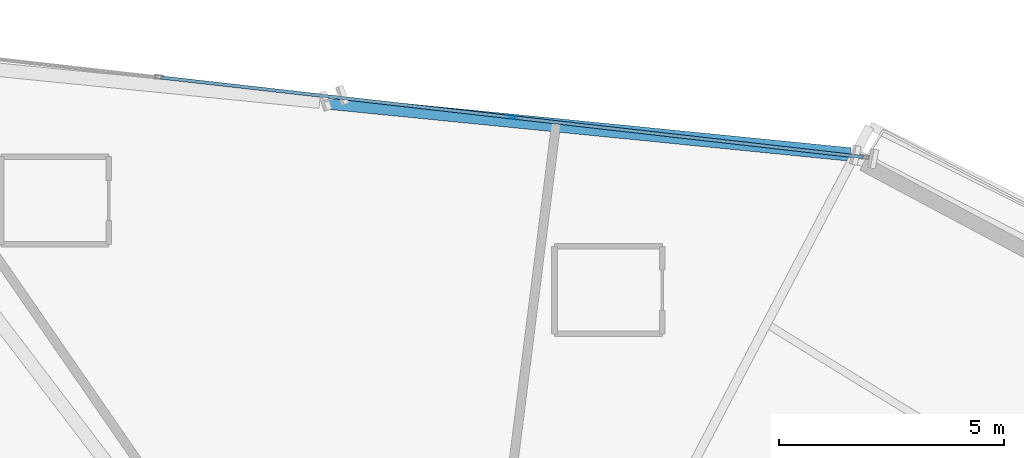
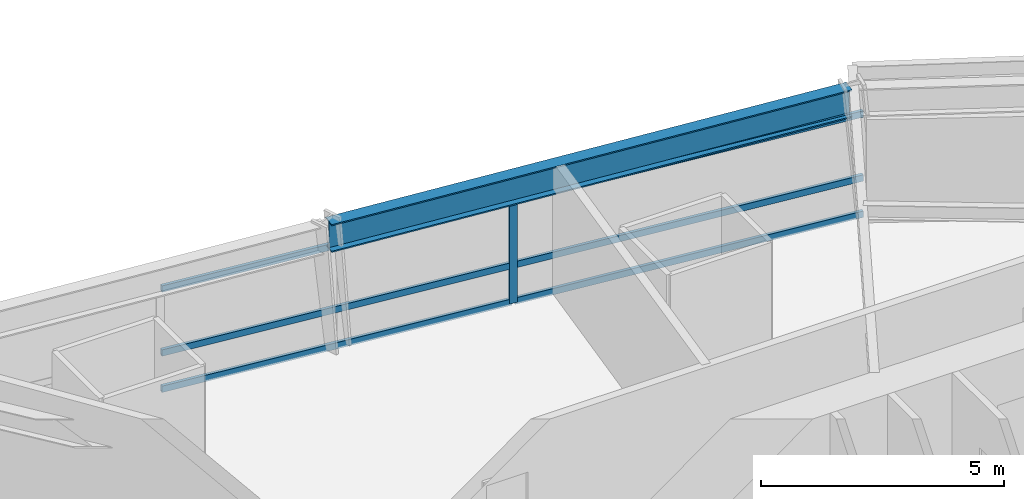
# One storey, part 10 of 22: 7 members, 1 beam, 1 element without a shape of its own.
"""IFC4 building model written with IfcOpenShell, lengths in metres."""

import ifcopenshell
import ifcopenshell.guid

model = None  # the IFC model being written
_history = None  # IfcOwnerHistory: only IFC2X3 demands one
_inside = {}  # id of a spatial element -> (the spatial element, [elements in it])
_under = {}  # id of a project, library or spatial element -> (it, [spatial elements below it])
_declared = {}  # id of a project -> (the project, [libraries it declares])
_typed = {}  # id of a type object -> (the type object, [elements of that type])
_made_of = {}  # id of a material, layer set ... -> (it, [elements and type objects made of it])


def new_model(schema):
    """Start an empty IFC model of exactly this schema.

    Asked for "IFC4X3", IfcOpenShell would pick the latest addendum, in which some entities
    have other attributes; the version numbers below select the first issue.
    IFC2X3 requires an IfcOwnerHistory on every rooted entity: one is made here for all.
    """
    global model, _history
    if schema == "IFC4X3":
        model = ifcopenshell.file(schema_version=(4, 3, 0, 0))
    else:
        model = ifcopenshell.file(schema=schema)
    _inside.clear()
    _under.clear()
    _declared.clear()
    _typed.clear()
    _made_of.clear()
    _history = None
    if model.schema == "IFC2X3":
        org = make("IfcOrganization", Name="unknown")
        user = make(
            "IfcPersonAndOrganization",
            ThePerson=make("IfcPerson", FamilyName="unknown"),
            TheOrganization=org,
        )
        app = make(
            "IfcApplication",
            ApplicationDeveloper=org,
            Version="unknown",
            ApplicationFullName="unknown",
            ApplicationIdentifier="unknown",
        )
        _history = make(
            "IfcOwnerHistory",
            OwningUser=user,
            OwningApplication=app,
            ChangeAction="ADDED",
            CreationDate=0,
        )
    return model


def make(cls, **values):
    """One entity of the class cls with the attributes given. An attribute that is None is left unset."""
    return model.create_entity(
        cls, **{name: value for name, value in values.items() if value is not None}
    )


def rooted(cls, **values):
    """An entity with a GlobalId (a new one), such as an element, a storey or a relation."""
    return make(cls, GlobalId=ifcopenshell.guid.new(), OwnerHistory=_history, **values)


def si_unit(unit_type, name, prefix=None):
    """IfcSIUnit, for example si_unit("LENGTHUNIT", "METRE", prefix="MILLI")."""
    return make("IfcSIUnit", UnitType=unit_type, Prefix=prefix, Name=name)


def assignment(units):
    """IfcUnitAssignment: the units of a project."""
    return None if units is None else make("IfcUnitAssignment", Units=units)


def point(xyz):
    """IfcCartesianPoint."""
    return None if xyz is None else make("IfcCartesianPoint", Coordinates=xyz)


def direction(xyz):
    """IfcDirection."""
    return None if xyz is None else make("IfcDirection", DirectionRatios=xyz)


def frame(location, z_axis=None, x_axis=None):
    """IfcAxis2Placement3D, a coordinate frame: its origin and axes. An axis left out is left unset."""
    return make(
        "IfcAxis2Placement3D",
        Location=point(location),
        Axis=direction(z_axis),
        RefDirection=direction(x_axis),
    )


def frame_2d(location, x_axis=None):
    """IfcAxis2Placement2D, a coordinate frame in the plane: its origin and x axis."""
    return make(
        "IfcAxis2Placement2D", Location=point(location), RefDirection=direction(x_axis)
    )


def origin():
    """The frame at (0, 0, 0) with its axes left unset."""
    return frame((0.0, 0.0, 0.0))


def origin_2d():
    """The frame at (0, 0) in the plane with its x axis left unset."""
    return frame_2d((0.0, 0.0))


def place(relative_to, where):
    """IfcLocalPlacement: puts the frame where relative to a parent placement (None: the world)."""
    return make(
        "IfcLocalPlacement", PlacementRelTo=relative_to, RelativePlacement=where
    )


def context(
    kind, dimensions, precision=None, world=None, true_north=None, identifier=None
):
    """IfcGeometricRepresentationContext, for example the 3D "Model" context."""
    return make(
        "IfcGeometricRepresentationContext",
        ContextIdentifier=identifier,
        ContextType=kind,
        CoordinateSpaceDimension=dimensions,
        Precision=precision,
        WorldCoordinateSystem=world,
        TrueNorth=true_north,
    )


def subcontext(parent, identifier, kind, view, scale=None):
    """IfcGeometricRepresentationSubContext, for example "Body" below "Model"."""
    return make(
        "IfcGeometricRepresentationSubContext",
        ContextIdentifier=identifier,
        ContextType=kind,
        ParentContext=parent,
        TargetScale=scale,
        TargetView=view,
    )


def project(units=None, contexts=None):
    """IfcProject with its units and contexts."""
    return rooted(
        "IfcProject",
        Name="project",
        RepresentationContexts=contexts,
        UnitsInContext=assignment(units),
    )


def spatial(cls, under=None, at=None, **own):
    """A site, building, storey or space (cls), placed at a placement, below another one or the project."""
    s = rooted(cls, ObjectPlacement=at, **own)
    if under is not None:
        _under.setdefault(under.id(), (under, []))[1].append(s)
    return s


def profile(cls, at=None, kind="AREA", **sizes):
    """A parametric profile (cls). Its sizes go by their IFC names, for example OverallWidth=200.0."""
    return make(cls, ProfileType=kind, Position=at, **sizes)


def hollow_rectangle(**sizes):
    """IfcRectangleHollowProfileDef."""
    return profile("IfcRectangleHollowProfileDef", **sizes)


def i_section(**sizes):
    """IfcIShapeProfileDef."""
    return profile("IfcIShapeProfileDef", **sizes)


def extrude(swept, where, along, depth):
    """IfcExtrudedAreaSolid: the profile swept, set in the frame where, extruded along a direction by depth."""
    return make(
        "IfcExtrudedAreaSolid",
        SweptArea=swept,
        Position=where,
        ExtrudedDirection=direction(along),
        Depth=depth,
    )


def shape(context_of_items, identifier, shape_type, items):
    """IfcShapeRepresentation: the items that make up one representation, for example the "Body"."""
    return make(
        "IfcShapeRepresentation",
        ContextOfItems=context_of_items,
        RepresentationIdentifier=identifier,
        RepresentationType=shape_type,
        Items=items,
    )


def source(mapping_origin, context_of_items, identifier, shape_type, items):
    """IfcRepresentationMap: a shape defined once, which mapped items show again and again."""
    return make(
        "IfcRepresentationMap",
        MappingOrigin=mapping_origin,
        MappedRepresentation=shape(context_of_items, identifier, shape_type, items),
    )


def transform(
    local_origin,
    x_axis=None,
    y_axis=None,
    z_axis=None,
    scale=None,
    scale2=None,
    scale3=None,
    uniform=True,
):
    """IfcCartesianTransformationOperator3D, or its non-uniform kind. x_axis, y_axis, z_axis: its Axis1, 2, 3."""
    if uniform:
        return make(
            "IfcCartesianTransformationOperator3D",
            Axis1=direction(x_axis),
            Axis2=direction(y_axis),
            LocalOrigin=point(local_origin),
            Scale=scale,
            Axis3=direction(z_axis),
        )
    return make(
        "IfcCartesianTransformationOperator3DnonUniform",
        Axis1=direction(x_axis),
        Axis2=direction(y_axis),
        LocalOrigin=point(local_origin),
        Scale=scale,
        Axis3=direction(z_axis),
        Scale2=scale2,
        Scale3=scale3,
    )


def mapped(mapping_source, mapping_target):
    """IfcMappedItem: shows the shape of a source again, moved by a transform."""
    return make(
        "IfcMappedItem", MappingSource=mapping_source, MappingTarget=mapping_target
    )


def material(Name=None, Category=None):
    """IfcMaterial."""
    return make("IfcMaterial", Name=Name, Category=Category)


def material_profile(
    of_material, cross_section, Name=None, Category=None, Priority=None
):
    """IfcMaterialProfile: a cross section and its material."""
    return make(
        "IfcMaterialProfile",
        Name=Name,
        Material=of_material,
        Profile=cross_section,
        Priority=Priority,
        Category=Category,
    )


def profile_set(profiles, Name=None, composite=None):
    """IfcMaterialProfileSet."""
    return make(
        "IfcMaterialProfileSet",
        Name=Name,
        MaterialProfiles=profiles,
        CompositeProfile=composite,
    )


def made_of(thing, what):
    """Note that an element or type object is made of a material, layer set ...; save() writes the relation."""
    if what is not None:
        _made_of.setdefault(what.id(), (what, []))[1].append(thing)
    return thing


def type_object(cls, material=None, **own):
    """A type object (cls), such as IfcWallType, which elements share."""
    return made_of(rooted(cls, **own), material)


def element(
    cls,
    number,
    at=None,
    inside=None,
    cuts=None,
    type_object=None,
    material=None,
    context=None,
    identifier="Body",
    shape_type=None,
    held_by="IfcProductDefinitionShape",
    body=None,
    shapes=None,
    **own,
):
    """One element of the class cls, such as IfcWall. Its Tag is "e" and its number.

    at: its placement. inside: the storey or other place that contains it. cuts: it is an
    opening in that element (IfcRelVoidsElement). A single representation is given by context,
    identifier, shape_type and body (its items); several are given by shapes. held_by: the class
    of the entity that holds the representations. save() writes the other relations.
    """
    e = rooted(cls, Tag="e%d" % number, ObjectPlacement=at, **own)
    if body is not None:
        shapes = [shape(context, identifier, shape_type, body)]
    if shapes is not None:
        e.Representation = make(held_by, Representations=shapes)
    if inside is not None:
        _inside.setdefault(inside.id(), (inside, []))[1].append(e)
    if cuts is not None:
        rooted(
            "IfcRelVoidsElement", RelatingBuildingElement=cuts, RelatedOpeningElement=e
        )
    if type_object is not None:
        _typed.setdefault(type_object.id(), (type_object, []))[1].append(e)
    return made_of(e, material)


def aggregate(whole, parts):
    """IfcRelAggregates: a whole, such as a stair, and the parts it consists of."""
    return rooted("IfcRelAggregates", RelatingObject=whole, RelatedObjects=parts)


def save(model, path):
    """Write the relations noted so far, then the file.

    IfcRelAggregates (storeys below a building ...), IfcRelContainedInSpatialStructure (elements
    in a storey), IfcRelDefinesByType, IfcRelAssociatesMaterial and IfcRelDeclares: one each for
    every whole, place, type object, material and project.
    """
    for whole, parts in _under.values():
        aggregate(whole, parts)
    for where, things in _inside.values():
        rooted(
            "IfcRelContainedInSpatialStructure",
            RelatedElements=things,
            RelatingStructure=where,
        )
    for kind, things in _typed.values():
        rooted("IfcRelDefinesByType", RelatedObjects=things, RelatingType=kind)
    for what, things in _made_of.values():
        rooted("IfcRelAssociatesMaterial", RelatedObjects=things, RelatingMaterial=what)
    for by, libraries in _declared.values():
        rooted("IfcRelDeclares", RelatingContext=by, RelatedDefinitions=libraries)
    model.write(path)


model = new_model("IFC4")

# Units and contexts
model_context = context("Model", 3, precision=1e-05, world=origin(), true_north=direction((0.0, 1.0)))
body_context = subcontext(model_context, "Body", "Model", "MODEL_VIEW")
ifc_project = project(units=[si_unit("LENGTHUNIT", "METRE"), si_unit("AREAUNIT", "SQUARE_METRE"), si_unit("VOLUMEUNIT", "CUBIC_METRE"), si_unit("PLANEANGLEUNIT", "RADIAN"), si_unit("MASSUNIT", "GRAM", prefix="KILO")], contexts=[model_context])

# Site, building, storey
site_placement = place(None, origin())
site = spatial("IfcSite", under=ifc_project, at=site_placement, CompositionType="ELEMENT")
building_placement = place(site_placement, origin())
building = spatial("IfcBuilding", under=site, at=building_placement, Name="Olszyna Solenne Hotel", CompositionType="ELEMENT")
storey_placement = place(building_placement, frame((0.0, 0.0, 61.25)))
storey = spatial("IfcBuildingStorey", under=building, at=storey_placement, Name="L15", CompositionType="ELEMENT", Elevation=61.25)

# Beam
ifc_material_1 = material(Name="Steel S355J2", Category="steel")
ifc_material_profile_1 = material_profile(ifc_material_1, i_section(OverallWidth=0.300048828125, OverallDepth=0.699951171875, WebThickness=0.01708984375, FlangeThickness=0.031982421875, at=origin_2d()), Name="HEB 700", Category="load-bearing")
ifc_profile_set_1 = profile_set([ifc_material_profile_1], Name="Steel S355J2")
beam_type = type_object("IfcBeamType", Name="BM-S1", PredefinedType="BEAM", material=ifc_profile_set_1)
shared_shape_1 = source(origin(), body_context, "Body", "SweptSolid", [
    extrude(i_section(OverallWidth=0.300048828125, OverallDepth=0.699951171875, WebThickness=0.01708984375, FlangeThickness=0.031982421875, at=origin_2d()), origin(), (0.0, 0.0, 1.0), 11.748291015625),
])
beam_placement = place(storey_placement, frame((46.784423828125, 43.66552734375, 2.949951171875), z_axis=(-0.995099746924, 0.098876153198, 0.0), x_axis=(-0.098876153198, -0.995099746924, 0.0)))
element("IfcBeam", 1, at=beam_placement, inside=storey, type_object=beam_type, Name="Perimeter spandrel beam BM-S1 B-L15-0468", PredefinedType="BEAM", context=body_context, shape_type="MappedRepresentation", body=[
    mapped(shared_shape_1, transform((0.0, 0.0, 0.0), x_axis=(1.0, 0.0, 0.0), y_axis=(0.0, 1.0, 0.0), z_axis=(0.0, 0.0, 1.0), scale=1.0)),
])

# Curtain wall, members
ifc_material_2 = material(Name="Anodised bronze aluminium", Category="aluminium")
curtain_wall_type = type_object("IfcCurtainWallType", Name="CW-SYS-2", PredefinedType="NOTDEFINED", material=ifc_material_2)
curtain_wall_placement = place(storey_placement, origin())
curtain_wall = element("IfcCurtainWall", 2, at=curtain_wall_placement, inside=storey, type_object=curtain_wall_type, Name="Unitised curtain wall CW-SYS-2 CW-L15-02", PredefinedType="NOTDEFINED")
ifc_material_profile_2 = material_profile(ifc_material_2, hollow_rectangle(XDim=0.074951171875, YDim=0.179931640625, WallThickness=0.00439453125, at=origin_2d()), Name="MULL 180x75x4.5", Category="load-bearing")
ifc_profile_set_2 = profile_set([ifc_material_profile_2], Name="Anodised bronze aluminium")
member_type_1 = type_object("IfcMemberType", Name="CW-M2", PredefinedType="MULLION", material=ifc_profile_set_2)
shared_shape_2 = source(origin(), body_context, "Body", "SweptSolid", [
    extrude(hollow_rectangle(XDim=0.074951171875, YDim=0.179931640625, WallThickness=0.00439453125, at=origin_2d()), origin(), (0.0, 0.0, 1.0), 2.592041015625),
])
member_1_placement = place(storey_placement, frame((39.2724609375, 44.490234375, 0.0), z_axis=(0.0, 0.0, 1.0), x_axis=(0.112596938937, 0.993640744606, 0.0)))
member_1 = element("IfcMember", 3, at=member_1_placement, type_object=member_type_1, Name="Curtain-wall mullion CW-M2 CM-L15-02-03", PredefinedType="MULLION", context=body_context, shape_type="MappedRepresentation", body=[
    mapped(shared_shape_2, transform((0.0, 0.0, 0.0), x_axis=(1.0, 0.0, 0.0), y_axis=(0.0, 1.0, 0.0), z_axis=(0.0, 0.0, 1.0), scale=1.0)),
])
ifc_material_profile_3 = material_profile(ifc_material_2, hollow_rectangle(XDim=0.074951171875, YDim=0.159912109375, WallThickness=0.00390625, at=origin_2d()), Name="TRAN 160x75x4", Category="load-bearing")
ifc_profile_set_3 = profile_set([ifc_material_profile_3], Name="Anodised bronze aluminium")
member_type_2 = type_object("IfcMemberType", Name="CW-T1", PredefinedType="USERDEFINED", material=ifc_profile_set_3)
shared_shape_3 = source(origin(), body_context, "Body", "SweptSolid", [
    extrude(hollow_rectangle(XDim=0.074951171875, YDim=0.159912109375, WallThickness=0.00390625, at=origin_2d()), origin(), (0.0, 0.0, 1.0), 7.847900390625),
])
member_2_placement = place(storey_placement, frame((31.437255859375, 45.378173828125, 0.03759765625), z_axis=(0.993642401197, -0.112582318961, 0.0), x_axis=(0.112582318961, 0.993642401197, 0.0)))
member_2 = element("IfcMember", 4, at=member_2_placement, type_object=member_type_2, Name="Curtain-wall transom CW-T1 CT-L15-02-04", ObjectType="TRANSOM", PredefinedType="USERDEFINED", context=body_context, shape_type="MappedRepresentation", body=[
    mapped(shared_shape_3, transform((0.0, 0.0, 0.0), x_axis=(1.0, 0.0, 0.0), y_axis=(0.0, 1.0, 0.0), z_axis=(0.0, 0.0, 1.0), scale=1.0)),
])
member_3_placement = place(storey_placement, frame((31.437255859375, 45.378173828125, 0.949951171875), z_axis=(0.993642401197, -0.112582318961, 0.0), x_axis=(0.112582318961, 0.993642401197, 0.0)))
member_3 = element("IfcMember", 5, at=member_3_placement, type_object=member_type_2, Name="Curtain-wall transom CW-T1 CT-L15-02-05", ObjectType="TRANSOM", PredefinedType="USERDEFINED", context=body_context, shape_type="MappedRepresentation", body=[
    mapped(shared_shape_3, transform((0.0, 0.0, 0.0), x_axis=(1.0, 0.0, 0.0), y_axis=(0.0, 1.0, 0.0), z_axis=(0.0, 0.0, 1.0), scale=1.0)),
])
member_4_placement = place(storey_placement, frame((31.437255859375, 45.378173828125, 2.554443359375), z_axis=(0.993642401197, -0.112582318961, 0.0), x_axis=(0.112582318961, 0.993642401197, 0.0)))
member_4 = element("IfcMember", 6, at=member_4_placement, type_object=member_type_2, Name="Curtain-wall transom CW-T1 CT-L15-02-06", ObjectType="TRANSOM", PredefinedType="USERDEFINED", context=body_context, shape_type="MappedRepresentation", body=[
    mapped(shared_shape_3, transform((0.0, 0.0, 0.0), x_axis=(1.0, 0.0, 0.0), y_axis=(0.0, 1.0, 0.0), z_axis=(0.0, 0.0, 1.0), scale=1.0)),
])
shared_shape_4 = source(origin(), body_context, "Body", "SweptSolid", [
    extrude(hollow_rectangle(XDim=0.074951171875, YDim=0.159912109375, WallThickness=0.00390625, at=origin_2d()), origin(), (0.0, 0.0, 1.0), 7.810302734375),
])
member_5_placement = place(storey_placement, frame((39.309814453125, 44.486083984375, 0.03759765625), z_axis=(0.993641228658, -0.112592667221, 0.0), x_axis=(0.112592667221, 0.993641228658, 0.0)))
member_5 = element("IfcMember", 7, at=member_5_placement, type_object=member_type_2, Name="Curtain-wall transom CW-T1 CT-L15-02-07", ObjectType="TRANSOM", PredefinedType="USERDEFINED", context=body_context, shape_type="MappedRepresentation", body=[
    mapped(shared_shape_4, transform((0.0, 0.0, 0.0), x_axis=(1.0, 0.0, 0.0), y_axis=(0.0, 1.0, 0.0), z_axis=(0.0, 0.0, 1.0), scale=1.0)),
])
member_6_placement = place(storey_placement, frame((39.309814453125, 44.486083984375, 0.949951171875), z_axis=(0.993641228658, -0.112592667221, 0.0), x_axis=(0.112592667221, 0.993641228658, 0.0)))
member_6 = element("IfcMember", 8, at=member_6_placement, type_object=member_type_2, Name="Curtain-wall transom CW-T1 CT-L15-02-08", ObjectType="TRANSOM", PredefinedType="USERDEFINED", context=body_context, shape_type="MappedRepresentation", body=[
    mapped(shared_shape_4, transform((0.0, 0.0, 0.0), x_axis=(1.0, 0.0, 0.0), y_axis=(0.0, 1.0, 0.0), z_axis=(0.0, 0.0, 1.0), scale=1.0)),
])
member_7_placement = place(storey_placement, frame((39.309814453125, 44.486083984375, 2.554443359375), z_axis=(0.993641228658, -0.112592667221, 0.0), x_axis=(0.112592667221, 0.993641228658, 0.0)))
member_7 = element("IfcMember", 9, at=member_7_placement, type_object=member_type_2, Name="Curtain-wall transom CW-T1 CT-L15-02-09", ObjectType="TRANSOM", PredefinedType="USERDEFINED", context=body_context, shape_type="MappedRepresentation", body=[
    mapped(shared_shape_4, transform((0.0, 0.0, 0.0), x_axis=(1.0, 0.0, 0.0), y_axis=(0.0, 1.0, 0.0), z_axis=(0.0, 0.0, 1.0), scale=1.0)),
])
aggregate(curtain_wall, [member_1, member_2, member_3, member_4, member_5, member_6, member_7])

save(model, "model.ifc")
